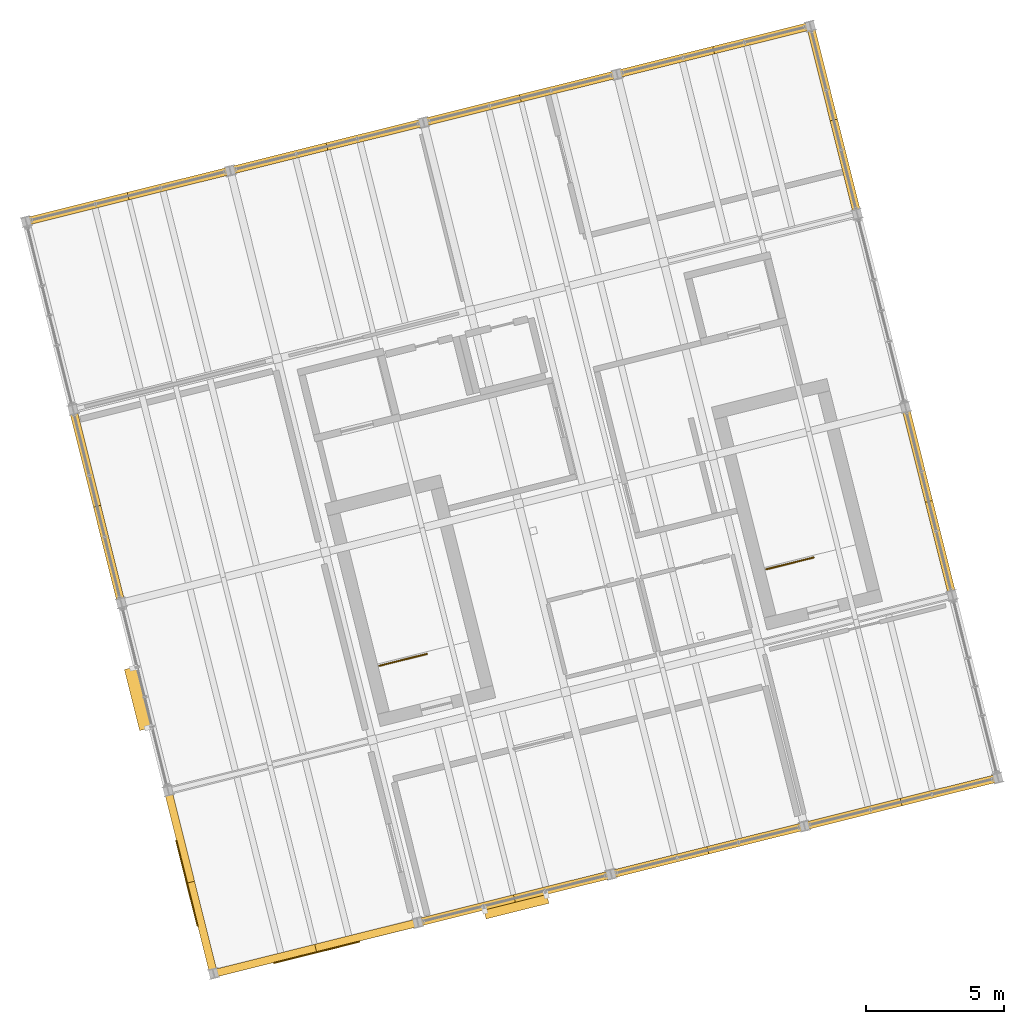
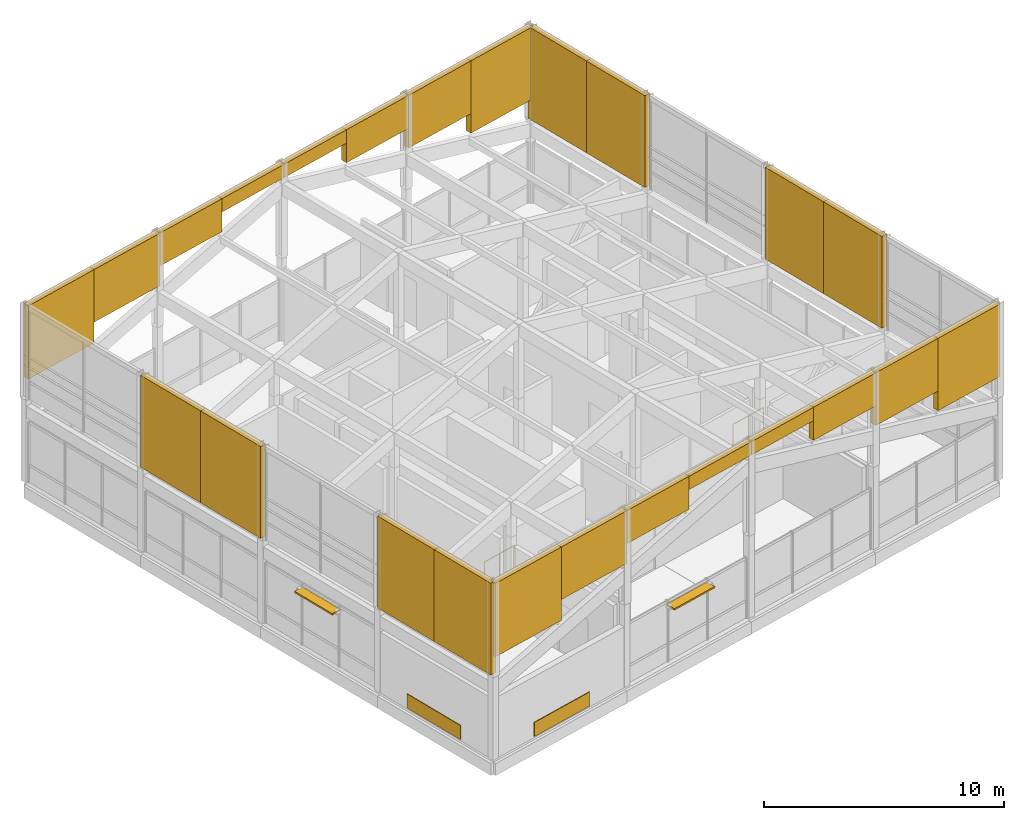
# One storey, part 31 of 31: 26 shading devices, 2 coverings, 2 railings.
"""IFC4 building model written with IfcOpenShell, lengths in metres."""

import ifcopenshell
import ifcopenshell.guid

model = None  # the IFC model being written
_history = None  # IfcOwnerHistory: only IFC2X3 demands one
_inside = {}  # id of a spatial element -> (the spatial element, [elements in it])
_under = {}  # id of a project, library or spatial element -> (it, [spatial elements below it])
_declared = {}  # id of a project -> (the project, [libraries it declares])
_typed = {}  # id of a type object -> (the type object, [elements of that type])
_made_of = {}  # id of a material, layer set ... -> (it, [elements and type objects made of it])


def new_model(schema):
    """Start an empty IFC model of exactly this schema.

    Asked for "IFC4X3", IfcOpenShell would pick the latest addendum, in which some entities
    have other attributes; the version numbers below select the first issue.
    IFC2X3 requires an IfcOwnerHistory on every rooted entity: one is made here for all.
    """
    global model, _history
    if schema == "IFC4X3":
        model = ifcopenshell.file(schema_version=(4, 3, 0, 0))
    else:
        model = ifcopenshell.file(schema=schema)
    _inside.clear()
    _under.clear()
    _declared.clear()
    _typed.clear()
    _made_of.clear()
    _history = None
    if model.schema == "IFC2X3":
        org = make("IfcOrganization", Name="unknown")
        user = make(
            "IfcPersonAndOrganization",
            ThePerson=make("IfcPerson", FamilyName="unknown"),
            TheOrganization=org,
        )
        app = make(
            "IfcApplication",
            ApplicationDeveloper=org,
            Version="unknown",
            ApplicationFullName="unknown",
            ApplicationIdentifier="unknown",
        )
        _history = make(
            "IfcOwnerHistory",
            OwningUser=user,
            OwningApplication=app,
            ChangeAction="ADDED",
            CreationDate=0,
        )
    return model


def make(cls, **values):
    """One entity of the class cls with the attributes given. An attribute that is None is left unset."""
    return model.create_entity(
        cls, **{name: value for name, value in values.items() if value is not None}
    )


def rooted(cls, **values):
    """An entity with a GlobalId (a new one), such as an element, a storey or a relation."""
    return make(cls, GlobalId=ifcopenshell.guid.new(), OwnerHistory=_history, **values)


def si_unit(unit_type, name, prefix=None):
    """IfcSIUnit, for example si_unit("LENGTHUNIT", "METRE", prefix="MILLI")."""
    return make("IfcSIUnit", UnitType=unit_type, Prefix=prefix, Name=name)


def assignment(units):
    """IfcUnitAssignment: the units of a project."""
    return None if units is None else make("IfcUnitAssignment", Units=units)


def point(xyz):
    """IfcCartesianPoint."""
    return None if xyz is None else make("IfcCartesianPoint", Coordinates=xyz)


def direction(xyz):
    """IfcDirection."""
    return None if xyz is None else make("IfcDirection", DirectionRatios=xyz)


def frame(location, z_axis=None, x_axis=None):
    """IfcAxis2Placement3D, a coordinate frame: its origin and axes. An axis left out is left unset."""
    return make(
        "IfcAxis2Placement3D",
        Location=point(location),
        Axis=direction(z_axis),
        RefDirection=direction(x_axis),
    )


def frame_2d(location, x_axis=None):
    """IfcAxis2Placement2D, a coordinate frame in the plane: its origin and x axis."""
    return make(
        "IfcAxis2Placement2D", Location=point(location), RefDirection=direction(x_axis)
    )


def origin():
    """The frame at (0, 0, 0) with its axes left unset."""
    return frame((0.0, 0.0, 0.0))


def origin_2d():
    """The frame at (0, 0) in the plane with its x axis left unset."""
    return frame_2d((0.0, 0.0))


def place(relative_to, where):
    """IfcLocalPlacement: puts the frame where relative to a parent placement (None: the world)."""
    return make(
        "IfcLocalPlacement", PlacementRelTo=relative_to, RelativePlacement=where
    )


def context(
    kind, dimensions, precision=None, world=None, true_north=None, identifier=None
):
    """IfcGeometricRepresentationContext, for example the 3D "Model" context."""
    return make(
        "IfcGeometricRepresentationContext",
        ContextIdentifier=identifier,
        ContextType=kind,
        CoordinateSpaceDimension=dimensions,
        Precision=precision,
        WorldCoordinateSystem=world,
        TrueNorth=true_north,
    )


def subcontext(parent, identifier, kind, view, scale=None):
    """IfcGeometricRepresentationSubContext, for example "Body" below "Model"."""
    return make(
        "IfcGeometricRepresentationSubContext",
        ContextIdentifier=identifier,
        ContextType=kind,
        ParentContext=parent,
        TargetScale=scale,
        TargetView=view,
    )


def project(units=None, contexts=None):
    """IfcProject with its units and contexts."""
    return rooted(
        "IfcProject",
        Name="project",
        RepresentationContexts=contexts,
        UnitsInContext=assignment(units),
    )


def spatial(cls, under=None, at=None, **own):
    """A site, building, storey or space (cls), placed at a placement, below another one or the project."""
    s = rooted(cls, ObjectPlacement=at, **own)
    if under is not None:
        _under.setdefault(under.id(), (under, []))[1].append(s)
    return s


def profile(cls, at=None, kind="AREA", **sizes):
    """A parametric profile (cls). Its sizes go by their IFC names, for example OverallWidth=200.0."""
    return make(cls, ProfileType=kind, Position=at, **sizes)


def rectangle(**sizes):
    """IfcRectangleProfileDef."""
    return profile("IfcRectangleProfileDef", **sizes)


def circle(**sizes):
    """IfcCircleProfileDef."""
    return profile("IfcCircleProfileDef", **sizes)


def extrude(swept, where, along, depth):
    """IfcExtrudedAreaSolid: the profile swept, set in the frame where, extruded along a direction by depth."""
    return make(
        "IfcExtrudedAreaSolid",
        SweptArea=swept,
        Position=where,
        ExtrudedDirection=direction(along),
        Depth=depth,
    )


def shape(context_of_items, identifier, shape_type, items):
    """IfcShapeRepresentation: the items that make up one representation, for example the "Body"."""
    return make(
        "IfcShapeRepresentation",
        ContextOfItems=context_of_items,
        RepresentationIdentifier=identifier,
        RepresentationType=shape_type,
        Items=items,
    )


def material(Name=None, Category=None):
    """IfcMaterial."""
    return make("IfcMaterial", Name=Name, Category=Category)


def layer(
    of_material, thickness, ventilated=None, Name=None, Category=None, Priority=None
):
    """IfcMaterialLayer: one layer of a wall or slab, of a material (None: an air gap)."""
    return make(
        "IfcMaterialLayer",
        Material=of_material,
        LayerThickness=thickness,
        IsVentilated=ventilated,
        Name=Name,
        Category=Category,
        Priority=Priority,
    )


def layer_set(layers, Name=None):
    """IfcMaterialLayerSet."""
    return make("IfcMaterialLayerSet", MaterialLayers=layers, LayerSetName=Name)


def made_of(thing, what):
    """Note that an element or type object is made of a material, layer set ...; save() writes the relation."""
    if what is not None:
        _made_of.setdefault(what.id(), (what, []))[1].append(thing)
    return thing


def type_object(cls, material=None, **own):
    """A type object (cls), such as IfcWallType, which elements share."""
    return made_of(rooted(cls, **own), material)


def element(
    cls,
    number,
    at=None,
    inside=None,
    cuts=None,
    type_object=None,
    material=None,
    context=None,
    identifier="Body",
    shape_type=None,
    held_by="IfcProductDefinitionShape",
    body=None,
    shapes=None,
    **own,
):
    """One element of the class cls, such as IfcWall. Its Tag is "e" and its number.

    at: its placement. inside: the storey or other place that contains it. cuts: it is an
    opening in that element (IfcRelVoidsElement). A single representation is given by context,
    identifier, shape_type and body (its items); several are given by shapes. held_by: the class
    of the entity that holds the representations. save() writes the other relations.
    """
    e = rooted(cls, Tag="e%d" % number, ObjectPlacement=at, **own)
    if body is not None:
        shapes = [shape(context, identifier, shape_type, body)]
    if shapes is not None:
        e.Representation = make(held_by, Representations=shapes)
    if inside is not None:
        _inside.setdefault(inside.id(), (inside, []))[1].append(e)
    if cuts is not None:
        rooted(
            "IfcRelVoidsElement", RelatingBuildingElement=cuts, RelatedOpeningElement=e
        )
    if type_object is not None:
        _typed.setdefault(type_object.id(), (type_object, []))[1].append(e)
    return made_of(e, material)


def aggregate(whole, parts):
    """IfcRelAggregates: a whole, such as a stair, and the parts it consists of."""
    return rooted("IfcRelAggregates", RelatingObject=whole, RelatedObjects=parts)


def save(model, path):
    """Write the relations noted so far, then the file.

    IfcRelAggregates (storeys below a building ...), IfcRelContainedInSpatialStructure (elements
    in a storey), IfcRelDefinesByType, IfcRelAssociatesMaterial and IfcRelDeclares: one each for
    every whole, place, type object, material and project.
    """
    for whole, parts in _under.values():
        aggregate(whole, parts)
    for where, things in _inside.values():
        rooted(
            "IfcRelContainedInSpatialStructure",
            RelatedElements=things,
            RelatingStructure=where,
        )
    for kind, things in _typed.values():
        rooted("IfcRelDefinesByType", RelatedObjects=things, RelatingType=kind)
    for what, things in _made_of.values():
        rooted("IfcRelAssociatesMaterial", RelatedObjects=things, RelatingMaterial=what)
    for by, libraries in _declared.values():
        rooted("IfcRelDeclares", RelatingContext=by, RelatedDefinitions=libraries)
    model.write(path)


model = new_model("IFC4")

# Units and contexts
model_context = context("Model", 3, precision=1e-05, world=origin(), true_north=direction((0.0, 1.0)))
body_context = subcontext(model_context, "Body", "Model", "MODEL_VIEW")
ifc_project = project(units=[si_unit("LENGTHUNIT", "METRE"), si_unit("AREAUNIT", "SQUARE_METRE"), si_unit("VOLUMEUNIT", "CUBIC_METRE"), si_unit("PLANEANGLEUNIT", "RADIAN"), si_unit("MASSUNIT", "GRAM", prefix="KILO")], contexts=[model_context])

# Site, building, storey
site_placement = place(None, origin())
site = spatial("IfcSite", under=ifc_project, at=site_placement, CompositionType="ELEMENT")
building_placement = place(site_placement, origin())
building = spatial("IfcBuilding", under=site, at=building_placement, Name="Meriwether Solvik Hall", CompositionType="ELEMENT")
storey_placement = place(building_placement, frame((0.0, 0.0, 61.199951171875)))
storey = spatial("IfcBuildingStorey", under=building, at=storey_placement, Name="L15", CompositionType="ELEMENT", Elevation=61.199951171875)

# Coverings
ifc_material_1 = material(Name="Acetylated Charred Western Red Cedar Timber", Category="wood")
ifc_layer_1 = layer(ifc_material_1, 0.0400390625)
ifc_layer_set_1 = layer_set([ifc_layer_1], Name="Acetylated Charred Western Red Cedar Timber")
covering_type = type_object("IfcCoveringType", Name="COV-CLAD-TIMB", PredefinedType="CLADDING", material=ifc_layer_set_1)
for number, where, z_axis, x_axis, name in (
    (1, (72.325927734375, 41.964111328125, 0.080078125), (0.0, 0.0, 1.0), (-0.970295720361, -0.241921919325, 0.0), "L15 Charred Cedar Cladding 1.0"),
    (2, (67.6318359375, 44.462646484375, 0.080078125), (0.0, 0.0, 1.0), (-0.241921830705, 0.970295742456, 0.0), "L15 Charred Cedar Cladding 4.0"),
):
    element("IfcCovering", number, at=place(storey_placement, frame(where, z_axis=z_axis, x_axis=x_axis)), inside=storey, type_object=covering_type, Name=name, PredefinedType="CLADDING", context=body_context, shape_type="SweptSolid", body=[
        extrude(rectangle(XDim=3.199951171875, YDim=0.0400390625, at=origin_2d()), origin(), (0.0, 0.0, 1.0), 0.719970703125),
    ])

# Railings
ifc_material_2 = material(Name="Steel A36 Galvanised", Category="steel")
ifc_layer_2 = layer(ifc_material_2, 0.054931640625)
ifc_layer_set_2 = layer_set([ifc_layer_2], Name="Steel A36 Galvanised")
railing_type = type_object("IfcRailingType", Name="RAIL-STR-GUARD", PredefinedType="GUARDRAIL", material=ifc_layer_set_2)
railing_1_placement = place(storey_placement, frame((74.587890625, 52.31884765625, 0.0)))
element("IfcRailing", 3, at=railing_1_placement, inside=storey, type_object=railing_type, Name="Stair ST-01 Top Arrival Well Guardrail (L15)", PredefinedType="GUARDRAIL", context=body_context, shape_type="SweptSolid", body=[
    extrude(circle(Radius=0.02392578125, at=origin_2d()), frame((0.0, 0.0, 1.09619140625), z_axis=(0.970296454726, 0.241918973929, 0.0), x_axis=(-0.241918973929, 0.970296454726, 0.0)), (0.0, 0.0, 1.0), 1.77001953125),
    extrude(circle(Radius=0.02099609375, at=origin_2d()), origin(), (0.0, 0.0, 1.0), 1.072021484375),
    extrude(circle(Radius=0.02099609375, at=origin_2d()), frame((0.85888671875, 0.214111328125, 0.0)), (0.0, 0.0, 1.0), 1.072021484375),
    extrude(circle(Radius=0.02099609375, at=origin_2d()), frame((1.717529296875, 0.42822265625, 0.0)), (0.0, 0.0, 1.0), 1.072021484375),
])
railing_2_placement = place(storey_placement, frame((88.560302734375, 55.802490234375, 0.0)))
element("IfcRailing", 4, at=railing_2_placement, inside=storey, type_object=railing_type, Name="Stair ST-02 Top Arrival Well Guardrail (L15)", PredefinedType="GUARDRAIL", context=body_context, shape_type="SweptSolid", body=[
    extrude(circle(Radius=0.02392578125, at=origin_2d()), frame((0.0, 0.0, 1.09619140625), z_axis=(0.970288381123, 0.241951353496, 0.0), x_axis=(-0.241951353496, 0.970288381123, 0.0)), (0.0, 0.0, 1.0), 1.769775390625),
    extrude(circle(Radius=0.02099609375, at=origin_2d()), origin(), (0.0, 0.0, 1.0), 1.072021484375),
    extrude(circle(Radius=0.02099609375, at=origin_2d()), frame((0.858642578125, 0.214111328125, 0.0)), (0.0, 0.0, 1.0), 1.072021484375),
    extrude(circle(Radius=0.02099609375, at=origin_2d()), frame((1.71728515625, 0.42822265625, 0.0)), (0.0, 0.0, 1.0), 1.072021484375),
])

# Shading devices
ifc_material_3 = material(Name="Weathering Steel A588 Grade 50", Category="steel")
shading_device_type_1 = type_object("IfcShadingDeviceType", Name="SHD-CRN-310X260", PredefinedType="SHUTTER", material=ifc_material_3)
shading_device_1_placement = place(storey_placement, frame((74.130615234375, 42.578857421875, 6.24560546875), z_axis=(0.0, 0.0, 1.0), x_axis=(0.970295742532, 0.2419218304, 0.0)))
element("IfcShadingDevice", 5, at=shading_device_1_placement, inside=storey, type_object=shading_device_type_1, Name="Perforated Weathering Steel Crown Screen S1.2", PredefinedType="SHUTTER", context=body_context, shape_type="SweptSolid", body=[
    extrude(rectangle(XDim=3.800048828125, YDim=0.280029296875, at=origin_2d()), origin(), (0.0, 0.0, 1.0), 2.674560546875),
])
shading_device_2_placement = place(storey_placement, frame((81.2138671875, 44.344970703125, 8.240234375), z_axis=(0.0, 0.0, 1.0), x_axis=(0.970295712946, 0.241921949063, 0.0)))
element("IfcShadingDevice", 6, at=shading_device_2_placement, inside=storey, type_object=shading_device_type_1, Name="Perforated Weathering Steel Crown Screen S2.2", PredefinedType="SHUTTER", context=body_context, shape_type="SweptSolid", body=[
    extrude(rectangle(XDim=3.60009765625, YDim=0.280029296875, at=origin_2d()), origin(), (0.0, 0.0, 1.0), 0.679931640625),
])
shading_device_3_placement = place(storey_placement, frame((88.199951171875, 46.0869140625, 7.240234375), z_axis=(0.0, 0.0, 1.0), x_axis=(0.970295712946, 0.241921949063, 0.0)))
element("IfcShadingDevice", 7, at=shading_device_3_placement, inside=storey, type_object=shading_device_type_1, Name="Perforated Weathering Steel Crown Screen S3.2", PredefinedType="SHUTTER", context=body_context, shape_type="SweptSolid", body=[
    extrude(rectangle(XDim=3.60009765625, YDim=0.280029296875, at=origin_2d()), origin(), (0.0, 0.0, 1.0), 1.679931640625),
])
shading_device_4_placement = place(storey_placement, frame((95.18603515625, 47.82861328125, 5.240234375), z_axis=(0.0, 0.0, 1.0), x_axis=(0.970295745551, 0.241921818292, 0.0)))
element("IfcShadingDevice", 8, at=shading_device_4_placement, inside=storey, type_object=shading_device_type_1, Name="Perforated Weathering Steel Crown Screen S4.2", PredefinedType="SHUTTER", context=body_context, shape_type="SweptSolid", body=[
    extrude(rectangle(XDim=3.60009765625, YDim=0.280029296875, at=origin_2d()), origin(), (0.0, 0.0, 1.0), 3.679931640625),
])
for number, where, z_axis, x_axis, name in (
    (9, (94.017578125, 59.956298828125, 4.25), (0.0, 0.0, 1.0), (-0.241921862204, 0.970295734602, 0.0), "Perforated Weathering Steel Crown Screen E2.2"),
    (10, (90.582275390625, 73.734375, 4.25), (0.0, 0.0, 1.0), (-0.241921862204, 0.970295734602, 0.0), "Perforated Weathering Steel Crown Screen E4.2"),
):
    element("IfcShadingDevice", number, at=place(storey_placement, frame(where, z_axis=z_axis, x_axis=x_axis)), inside=storey, type_object=shading_device_type_1, Name=name, PredefinedType="SHUTTER", context=body_context, shape_type="SweptSolid", body=[
        extrude(rectangle(XDim=3.5, YDim=0.280029296875, at=origin_2d()), origin(), (0.0, 0.0, 1.0), 4.669921875),
    ])
shading_device_5_placement = place(storey_placement, frame((84.919189453125, 74.1259765625, 6.240234375), z_axis=(0.0, 0.0, 1.0), x_axis=(-0.970295712946, -0.241921949063, 0.0)))
element("IfcShadingDevice", 11, at=shading_device_5_placement, inside=storey, type_object=shading_device_type_1, Name="Perforated Weathering Steel Crown Screen N1.2", PredefinedType="SHUTTER", context=body_context, shape_type="SweptSolid", body=[
    extrude(rectangle(XDim=3.60009765625, YDim=0.280029296875, at=origin_2d()), origin(), (0.0, 0.0, 1.0), 2.679931640625),
])
shading_device_6_placement = place(storey_placement, frame((77.93310546875, 72.38427734375, 8.240234375), z_axis=(0.0, 0.0, 1.0), x_axis=(-0.970295712946, -0.241921949063, 0.0)))
element("IfcShadingDevice", 12, at=shading_device_6_placement, inside=storey, type_object=shading_device_type_1, Name="Perforated Weathering Steel Crown Screen N2.2", PredefinedType="SHUTTER", context=body_context, shape_type="SweptSolid", body=[
    extrude(rectangle(XDim=3.60009765625, YDim=0.280029296875, at=origin_2d()), origin(), (0.0, 0.0, 1.0), 0.679931640625),
])
shading_device_7_placement = place(storey_placement, frame((70.947021484375, 70.642333984375, 7.24267578125), z_axis=(0.0, 0.0, 1.0), x_axis=(-0.970295753679, -0.241921785692, 0.0)))
element("IfcShadingDevice", 13, at=shading_device_7_placement, inside=storey, type_object=shading_device_type_1, Name="Perforated Weathering Steel Crown Screen N3.2", PredefinedType="SHUTTER", context=body_context, shape_type="SweptSolid", body=[
    extrude(rectangle(XDim=3.60009765625, YDim=0.280029296875, at=origin_2d()), origin(), (0.0, 0.0, 1.0), 1.67724609375),
])
shading_device_8_placement = place(storey_placement, frame((63.669677734375, 68.827880859375, 5.19287109375), z_axis=(0.0, 0.0, 1.0), x_axis=(-0.970295703944, -0.241921985168, 0.0)))
element("IfcShadingDevice", 14, at=shading_device_8_placement, inside=storey, type_object=shading_device_type_1, Name="Perforated Weathering Steel Crown Screen N4.2", PredefinedType="SHUTTER", context=body_context, shape_type="SweptSolid", body=[
    extrude(rectangle(XDim=3.800048828125, YDim=0.280029296875, at=origin_2d()), origin(), (0.0, 0.0, 1.0), 3.727294921875),
])
shading_device_9_placement = place(storey_placement, frame((64.825927734375, 56.336669921875, 4.25), z_axis=(0.0, 0.0, 1.0), x_axis=(0.241921949063, -0.970295712946, 0.0)))
element("IfcShadingDevice", 15, at=shading_device_9_placement, inside=storey, type_object=shading_device_type_1, Name="Perforated Weathering Steel Crown Screen W2.2", PredefinedType="SHUTTER", context=body_context, shape_type="SweptSolid", body=[
    extrude(rectangle(XDim=3.60009765625, YDim=0.280029296875, at=origin_2d()), origin(), (0.0, 0.0, 1.0), 4.669921875),
])
shading_device_10_placement = place(storey_placement, frame((68.188720703125, 42.849609375, 4.25), z_axis=(0.0, 0.0, 1.0), x_axis=(0.241921908707, -0.970295723008, 0.0)))
element("IfcShadingDevice", 16, at=shading_device_10_placement, inside=storey, type_object=shading_device_type_1, Name="Perforated Weathering Steel Crown Screen W4.2", PredefinedType="SHUTTER", context=body_context, shape_type="SweptSolid", body=[
    extrude(rectangle(XDim=3.39990234375, YDim=0.280029296875, at=origin_2d()), origin(), (0.0, 0.0, 1.0), 4.669921875),
])
ifc_material_4 = material(Name="Weathering Steel A588 Grade 50", Category="steel")
shading_device_type_2 = type_object("IfcShadingDeviceType", Name="SHD-CRN-340X260", PredefinedType="SHUTTER", material=ifc_material_4)
shading_device_11_placement = place(storey_placement, frame((70.443603515625, 41.65966796875, 5.19287109375), z_axis=(0.0, 0.0, 1.0), x_axis=(0.970295742532, 0.2419218304, 0.0)))
element("IfcShadingDevice", 17, at=shading_device_11_placement, inside=storey, type_object=shading_device_type_2, Name="Perforated Weathering Steel Crown Screen S1.1", PredefinedType="SHUTTER", context=body_context, shape_type="SweptSolid", body=[
    extrude(rectangle(XDim=3.800048828125, YDim=0.280029296875, at=origin_2d()), origin(), (0.0, 0.0, 1.0), 3.727294921875),
])
shading_device_12_placement = place(storey_placement, frame((77.720703125, 43.47412109375, 7.24267578125), z_axis=(0.0, 0.0, 1.0), x_axis=(0.970295712946, 0.241921949063, 0.0)))
element("IfcShadingDevice", 18, at=shading_device_12_placement, inside=storey, type_object=shading_device_type_2, Name="Perforated Weathering Steel Crown Screen S2.1", PredefinedType="SHUTTER", context=body_context, shape_type="SweptSolid", body=[
    extrude(rectangle(XDim=3.60009765625, YDim=0.280029296875, at=origin_2d()), origin(), (0.0, 0.0, 1.0), 1.67724609375),
])
shading_device_13_placement = place(storey_placement, frame((84.70703125, 45.2158203125, 8.240234375), z_axis=(0.0, 0.0, 1.0), x_axis=(0.970295712946, 0.241921949063, 0.0)))
element("IfcShadingDevice", 19, at=shading_device_13_placement, inside=storey, type_object=shading_device_type_2, Name="Perforated Weathering Steel Crown Screen S3.1", PredefinedType="SHUTTER", context=body_context, shape_type="SweptSolid", body=[
    extrude(rectangle(XDim=3.60009765625, YDim=0.280029296875, at=origin_2d()), origin(), (0.0, 0.0, 1.0), 0.679931640625),
])
shading_device_14_placement = place(storey_placement, frame((91.693115234375, 46.957763671875, 6.240234375), z_axis=(0.0, 0.0, 1.0), x_axis=(0.970295745551, 0.241921818292, 0.0)))
element("IfcShadingDevice", 20, at=shading_device_14_placement, inside=storey, type_object=shading_device_type_2, Name="Perforated Weathering Steel Crown Screen S4.1", PredefinedType="SHUTTER", context=body_context, shape_type="SweptSolid", body=[
    extrude(rectangle(XDim=3.60009765625, YDim=0.280029296875, at=origin_2d()), origin(), (0.0, 0.0, 1.0), 2.679931640625),
])
for number, where, z_axis, x_axis, name in (
    (21, (94.8642578125, 56.56005859375, 4.25), (0.0, 0.0, 1.0), (-0.241921862204, 0.970295734602, 0.0), "Perforated Weathering Steel Crown Screen E2.1"),
    (22, (91.428955078125, 70.33837890625, 4.25), (0.0, 0.0, 1.0), (-0.241921862204, 0.970295734602, 0.0), "Perforated Weathering Steel Crown Screen E4.1"),
):
    element("IfcShadingDevice", number, at=place(storey_placement, frame(where, z_axis=z_axis, x_axis=x_axis)), inside=storey, type_object=shading_device_type_2, Name=name, PredefinedType="SHUTTER", context=body_context, shape_type="SweptSolid", body=[
        extrude(rectangle(XDim=3.5, YDim=0.280029296875, at=origin_2d()), origin(), (0.0, 0.0, 1.0), 4.669921875),
    ])
shading_device_15_placement = place(storey_placement, frame((88.412353515625, 74.996826171875, 5.240234375), z_axis=(0.0, 0.0, 1.0), x_axis=(-0.970295712946, -0.241921949063, 0.0)))
element("IfcShadingDevice", 23, at=shading_device_15_placement, inside=storey, type_object=shading_device_type_2, Name="Perforated Weathering Steel Crown Screen N1.1", PredefinedType="SHUTTER", context=body_context, shape_type="SweptSolid", body=[
    extrude(rectangle(XDim=3.60009765625, YDim=0.280029296875, at=origin_2d()), origin(), (0.0, 0.0, 1.0), 3.679931640625),
])
shading_device_16_placement = place(storey_placement, frame((81.42626953125, 73.255126953125, 7.240234375), z_axis=(0.0, 0.0, 1.0), x_axis=(-0.970295712946, -0.241921949063, 0.0)))
element("IfcShadingDevice", 24, at=shading_device_16_placement, inside=storey, type_object=shading_device_type_2, Name="Perforated Weathering Steel Crown Screen N2.1", PredefinedType="SHUTTER", context=body_context, shape_type="SweptSolid", body=[
    extrude(rectangle(XDim=3.60009765625, YDim=0.280029296875, at=origin_2d()), origin(), (0.0, 0.0, 1.0), 1.679931640625),
])
shading_device_17_placement = place(storey_placement, frame((74.43994140625, 71.51318359375, 8.240234375), z_axis=(0.0, 0.0, 1.0), x_axis=(-0.970295753679, -0.241921785692, 0.0)))
element("IfcShadingDevice", 25, at=shading_device_17_placement, inside=storey, type_object=shading_device_type_2, Name="Perforated Weathering Steel Crown Screen N3.1", PredefinedType="SHUTTER", context=body_context, shape_type="SweptSolid", body=[
    extrude(rectangle(XDim=3.60009765625, YDim=0.280029296875, at=origin_2d()), origin(), (0.0, 0.0, 1.0), 0.679931640625),
])
shading_device_18_placement = place(storey_placement, frame((67.35693359375, 69.747314453125, 6.24560546875), z_axis=(0.0, 0.0, 1.0), x_axis=(-0.970295703944, -0.241921985168, 0.0)))
element("IfcShadingDevice", 26, at=shading_device_18_placement, inside=storey, type_object=shading_device_type_2, Name="Perforated Weathering Steel Crown Screen N4.1", PredefinedType="SHUTTER", context=body_context, shape_type="SweptSolid", body=[
    extrude(rectangle(XDim=3.800048828125, YDim=0.280029296875, at=origin_2d()), origin(), (0.0, 0.0, 1.0), 2.674560546875),
])
shading_device_19_placement = place(storey_placement, frame((63.955078125, 59.82958984375, 4.25), z_axis=(0.0, 0.0, 1.0), x_axis=(0.241921949063, -0.970295712946, 0.0)))
element("IfcShadingDevice", 27, at=shading_device_19_placement, inside=storey, type_object=shading_device_type_2, Name="Perforated Weathering Steel Crown Screen W2.1", PredefinedType="SHUTTER", context=body_context, shape_type="SweptSolid", body=[
    extrude(rectangle(XDim=3.60009765625, YDim=0.280029296875, at=origin_2d()), origin(), (0.0, 0.0, 1.0), 4.669921875),
])
shading_device_20_placement = place(storey_placement, frame((67.3662109375, 46.1484375, 4.25), z_axis=(0.0, 0.0, 1.0), x_axis=(0.241921908707, -0.970295723008, 0.0)))
element("IfcShadingDevice", 28, at=shading_device_20_placement, inside=storey, type_object=shading_device_type_2, Name="Perforated Weathering Steel Crown Screen W4.1", PredefinedType="SHUTTER", context=body_context, shape_type="SweptSolid", body=[
    extrude(rectangle(XDim=3.39990234375, YDim=0.280029296875, at=origin_2d()), origin(), (0.0, 0.0, 1.0), 4.669921875),
])
ifc_material_5 = material(Name="Anodised Aluminium 6063-T6", Category="aluminium")
shading_device_type_3 = type_object("IfcShadingDeviceType", Name="SHD-LOUVRE-S", PredefinedType="SHUTTER", material=ifc_material_5)
shading_device_21_placement = place(storey_placement, frame((79.525390625, 43.6767578125, 2.842041015625), z_axis=(0.0, 0.0, 1.0), x_axis=(-0.970295730764, -0.241921877598, 0.0)))
element("IfcShadingDevice", 29, at=shading_device_21_placement, inside=storey, type_object=shading_device_type_3, Name="Solar Shading Louvre E0_B1", PredefinedType="SHUTTER", context=body_context, shape_type="SweptSolid", body=[
    extrude(rectangle(XDim=2.339111328125, YDim=0.4599609375, at=origin_2d()), origin(), (0.0, 0.0, 1.0), 0.080078125),
])
ifc_material_6 = material(Name="Anodised Aluminium 6063-T6", Category="aluminium")
shading_device_type_4 = type_object("IfcShadingDeviceType", Name="SHD-LOUVRE-W", PredefinedType="USERDEFINED", material=ifc_material_6)
shading_device_22_placement = place(storey_placement, frame((65.875244140625, 51.135986328125, 2.842041015625), z_axis=(0.0, 0.0, 1.0), x_axis=(-0.241921784185, 0.970295754055, 0.0)))
element("IfcShadingDevice", 30, at=shading_device_22_placement, inside=storey, type_object=shading_device_type_4, Name="Solar Shading Louvre E3_B1", ObjectType="LOUVER", PredefinedType="USERDEFINED", context=body_context, shape_type="SweptSolid", body=[
    extrude(rectangle(XDim=2.272216796875, YDim=0.4599609375, at=origin_2d()), origin(), (0.0, 0.0, 1.0), 0.080078125),
])

save(model, "model.ifc")
